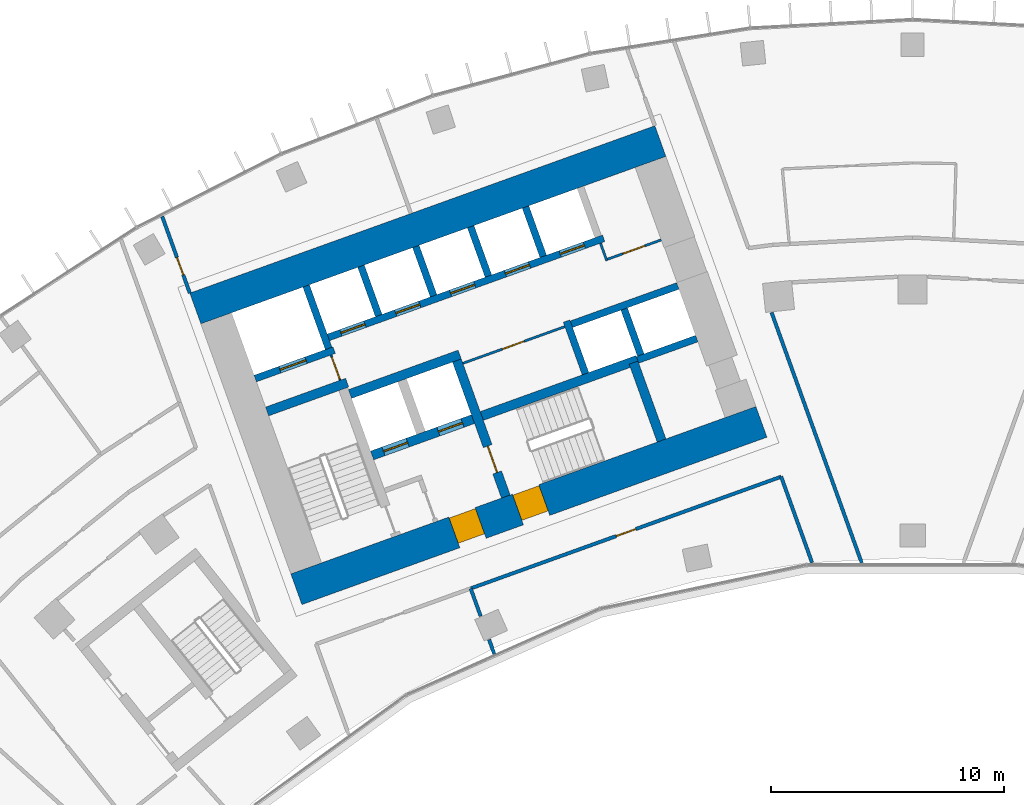
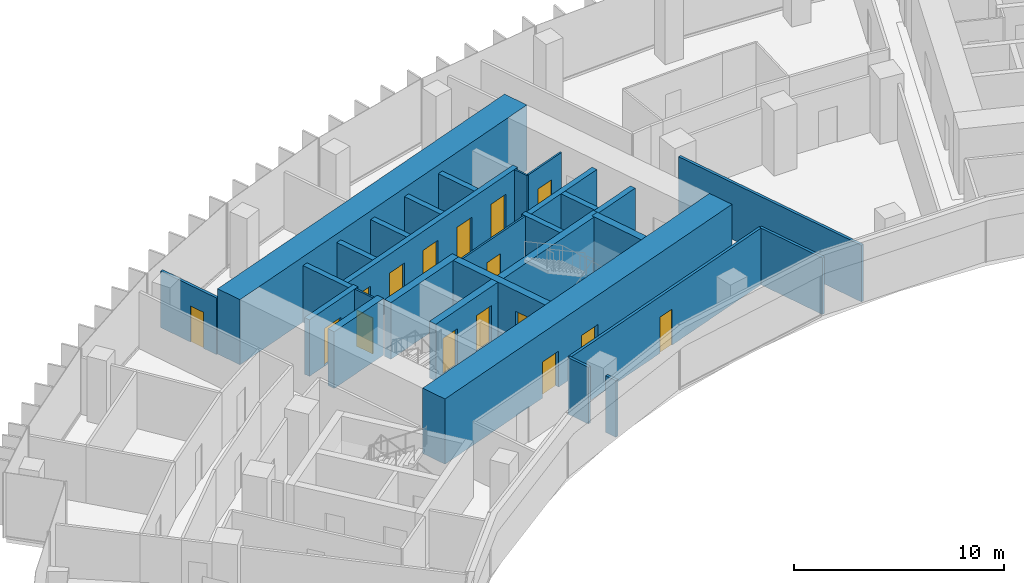
# One storey, part 15 of 21: 28 walls, 16 doors, 16 openings.
"""IFC4 building model written with IfcOpenShell, lengths in metres."""

from ifc_helpers import new_model, si_unit, direction, frame, frame_2d, origin, place, context, subcontext, project, spatial, rectangle, extrude, material, layer, layer_set, type_object, element, fill, save


model = new_model("IFC4")

# Units and contexts
model_context = context("Model", 3, precision=1e-05, world=origin(), true_north=direction((0.0, 1.0)))
body_context = subcontext(model_context, "Body", "Model", "MODEL_VIEW")
ifc_project = project(units=[si_unit("LENGTHUNIT", "METRE"), si_unit("AREAUNIT", "SQUARE_METRE"), si_unit("VOLUMEUNIT", "CUBIC_METRE"), si_unit("PLANEANGLEUNIT", "RADIAN"), si_unit("MASSUNIT", "GRAM", prefix="KILO")], contexts=[model_context])

# Site, building, storey
site_placement = place(None, origin())
site = spatial("IfcSite", under=ifc_project, at=site_placement, CompositionType="ELEMENT")
building_placement = place(site_placement, origin())
building = spatial("IfcBuilding", under=site, at=building_placement, Name="Stone Belt Terrace Tower", CompositionType="ELEMENT")
storey_placement = place(building_placement, frame((0.0, 0.0, 189.60009765625)))
storey = spatial("IfcBuildingStorey", under=building, at=storey_placement, Name="L46", CompositionType="ELEMENT", Elevation=189.60009765625)

# Wall, opening, door
ifc_material_1 = material(Name="Plasterboard partition")
ifc_layer_1 = layer(ifc_material_1, 0.10009765625)
ifc_layer_set_1 = layer_set([ifc_layer_1], Name="Core partition 100")
wall_type_1 = type_object("IfcWallType", Name="Core partition 100", PredefinedType="PARTITIONING", material=ifc_layer_set_1)
wall_1_placement = place(storey_placement, frame((-24.555908203125, 51.10400390625, 0.0), z_axis=(0.0, 0.0, 1.0), x_axis=(-0.338621735342, 0.94092258999, 0.0)))
wall_1 = element("IfcWall", 1, at=wall_1_placement, inside=storey, type_object=wall_type_1, Name="Core A wall", PredefinedType="PARTITIONING", context=body_context, shape_type="SweptSolid", body=[
    extrude(rectangle(XDim=1.14990234375, YDim=0.10009765625, at=frame_2d((0.574951171875, 0.0))), origin(), (0.0, 0.0, 1.0), 3.2998046875),
])
opening_1_placement = place(wall_1_placement, frame((0.050048828125, 0.0, 0.0)))
opening_1 = element("IfcOpeningElement", 2, at=opening_1_placement, cuts=wall_1, Name="Opening L46-C03", PredefinedType="OPENING", context=body_context, shape_type="SweptSolid", body=[
    extrude(rectangle(XDim=1.0, YDim=2.10009765625, at=frame_2d((0.5, 1.050048828125))), frame((0.0, 0.06005859375, 0.0), z_axis=(0.0, -1.0, 0.0), x_axis=(1.0, 0.0, 0.0)), (0.0, 0.0, 1.0), 0.1201171875),
])
ifc_material_2 = material(Name="Timber door leaf", Category="wood")
door_type_1 = type_object("IfcDoorType", Name="Core room door 1000", OperationType="SINGLE_SWING_LEFT", PredefinedType="DOOR", material=ifc_material_2)
door_1_placement = place(opening_1_placement, origin())
door_1 = element("IfcDoor", 3, at=door_1_placement, inside=storey, type_object=door_type_1, Name="Service lift lobby door core A", OperationType="SINGLE_SWING_LEFT", OverallHeight=2.10009765625, OverallWidth=1.0, PredefinedType="DOOR", context=body_context, shape_type="SweptSolid", body=[
    extrude(rectangle(XDim=1.0, YDim=2.10009765625, at=frame_2d((0.5, 1.050048828125))), frame((0.0, 0.02490234375, 0.0), z_axis=(0.0, -1.0, 0.0), x_axis=(1.0, 0.0, 0.0)), (0.0, 0.0, 1.0), 0.050048828125),
])
fill(opening_1, door_1)

wall_2_placement = place(storey_placement, frame((-19.29052734375, 51.829833984375, 0.0), z_axis=(0.0, 0.0, 1.0), x_axis=(0.940930240745, 0.338600475563, 0.0)))
wall_2 = element("IfcWall", 4, at=wall_2_placement, inside=storey, type_object=wall_type_1, Name="Core A wall", PredefinedType="PARTITIONING", context=body_context, shape_type="SweptSolid", body=[
    extrude(rectangle(XDim=4.64990234375, YDim=0.10009765625, at=frame_2d((2.324951171875, 0.0))), origin(), (0.0, 0.0, 1.0), 3.2998046875),
])
opening_2_placement = place(wall_2_placement, frame((1.800048828125, 0.0, 0.0)))
opening_2 = element("IfcOpeningElement", 5, at=opening_2_placement, cuts=wall_2, Name="Opening L46-C02", PredefinedType="OPENING", context=body_context, shape_type="SweptSolid", body=[
    extrude(rectangle(XDim=1.0, YDim=2.10009765625, at=frame_2d((0.5, 1.050048828125))), frame((0.0, 0.06005859375, 0.0), z_axis=(0.0, -1.0, 0.0), x_axis=(1.0, 0.0, 0.0)), (0.0, 0.0, 1.0), 0.1201171875),
])
door_2_placement = place(opening_2_placement, origin())
door_2 = element("IfcDoor", 6, at=door_2_placement, inside=storey, type_object=door_type_1, Name="Door to Staff pantry core A", OperationType="SINGLE_SWING_LEFT", OverallHeight=2.10009765625, OverallWidth=1.0, PredefinedType="DOOR", context=body_context, shape_type="SweptSolid", body=[
    extrude(rectangle(XDim=1.0, YDim=2.10009765625, at=frame_2d((0.5, 1.050048828125))), frame((0.0, 0.02490234375, 0.0), z_axis=(0.0, -1.0, 0.0), x_axis=(1.0, 0.0, 0.0)), (0.0, 0.0, 1.0), 0.050048828125),
])
fill(opening_2, door_2)

# Wall
wall_3_placement = place(storey_placement, frame((-13.115966796875, 56.230712890625, 0.0), z_axis=(0.0, 0.0, 1.0), x_axis=(-0.338481684961, 0.940972979923, 0.0)))
element("IfcWall", 7, at=wall_3_placement, inside=storey, type_object=wall_type_1, Name="Core A wall", PredefinedType="PARTITIONING", context=body_context, shape_type="SweptSolid", body=[
    extrude(rectangle(XDim=0.7998046875, YDim=0.10009765625, at=frame_2d((0.39990234375, 0.0))), origin(), (0.0, 0.0, 1.0), 3.2998046875),
])

# Wall, opening, door
wall_4_placement = place(storey_placement, frame((-13.085693359375, 56.294677734375, 0.0), z_axis=(0.0, 0.0, 1.0), x_axis=(0.940922976849, 0.338620660383, 0.0)))
wall_4 = element("IfcWall", 8, at=wall_4_placement, inside=storey, type_object=wall_type_1, Name="Core A wall", PredefinedType="PARTITIONING", context=body_context, shape_type="SweptSolid", body=[
    extrude(rectangle(XDim=2.449951171875, YDim=0.10009765625, at=frame_2d((1.22509765625, 0.0))), origin(), (0.0, 0.0, 1.0), 3.2998046875),
])
opening_3_placement = place(wall_4_placement, frame((0.699951171875, 0.0, 0.0)))
opening_3 = element("IfcOpeningElement", 9, at=opening_3_placement, cuts=wall_4, Name="Opening L46-C01", PredefinedType="OPENING", context=body_context, shape_type="SweptSolid", body=[
    extrude(rectangle(XDim=1.0, YDim=2.10009765625, at=frame_2d((0.5, 1.050048828125))), frame((0.0, 0.06005859375, 0.0), z_axis=(0.0, -1.0, 0.0), x_axis=(1.0, 0.0, 0.0)), (0.0, 0.0, 1.0), 0.1201171875),
])
door_3_placement = place(opening_3_placement, origin())
door_3 = element("IfcDoor", 10, at=door_3_placement, inside=storey, type_object=door_type_1, Name="Door to Meeting store core A", OperationType="SINGLE_SWING_LEFT", OverallHeight=2.10009765625, OverallWidth=1.0, PredefinedType="DOOR", context=body_context, shape_type="SweptSolid", body=[
    extrude(rectangle(XDim=1.0, YDim=2.10009765625, at=frame_2d((0.5, 1.050048828125))), frame((0.0, 0.02490234375, 0.0), z_axis=(0.0, -1.0, 0.0), x_axis=(1.0, 0.0, 0.0)), (0.0, 0.0, 1.0), 0.050048828125),
])
fill(opening_3, door_3)

# Wall, openings, doors
ifc_material_3 = material(Name="Concrete B80", Category="concrete")
ifc_layer_2 = layer(ifc_material_3, 1.39990234375)
ifc_layer_set_2 = layer_set([ifc_layer_2], Name="Core wall 1400 B80")
wall_type_2 = type_object("IfcWallType", Name="Core wall 1400 B80", PredefinedType="SHEAR", material=ifc_layer_set_2)
wall_5_placement = place(storey_placement, frame((-26.430908203125, 42.139404296875, 0.0), z_axis=(0.0, 0.0, 1.0), x_axis=(0.940923374003, 0.33861955681, 0.0)))
wall_5 = element("IfcWall", 11, at=wall_5_placement, inside=storey, type_object=wall_type_2, Name="Core A wall concave L46", PredefinedType="SHEAR", context=body_context, shape_type="SweptSolid", body=[
    extrude(rectangle(XDim=21.199951171875, YDim=1.39990234375, at=frame_2d((10.60009765625, 0.0))), origin(), (0.0, 0.0, 1.0), 3.7998046875),
])
opening_4_placement = place(wall_5_placement, frame((7.199951171875, 0.0, 0.0)))
opening_4 = element("IfcOpeningElement", 12, at=opening_4_placement, cuts=wall_5, Name="Opening L46-C07", PredefinedType="OPENING", context=body_context, shape_type="SweptSolid", body=[
    extrude(rectangle(XDim=1.199951171875, YDim=2.10009765625, at=frame_2d((0.60009765625, 1.050048828125))), frame((0.0, 0.7099609375, 0.0), z_axis=(0.0, -1.0, 0.0), x_axis=(1.0, 0.0, 0.0)), (0.0, 0.0, 1.0), 1.419921875),
])
opening_5_placement = place(wall_5_placement, frame((10.099853515625, 0.0, 0.0)))
opening_5 = element("IfcOpeningElement", 13, at=opening_5_placement, cuts=wall_5, Name="Opening L46-C09", PredefinedType="OPENING", context=body_context, shape_type="SweptSolid", body=[
    extrude(rectangle(XDim=1.199951171875, YDim=2.10009765625, at=frame_2d((0.60009765625, 1.050048828125))), frame((0.0, 0.7099609375, 0.0), z_axis=(0.0, -1.0, 0.0), x_axis=(1.0, 0.0, 0.0)), (0.0, 0.0, 1.0), 1.419921875),
])
ifc_material_4 = material(Name="Steel door leaf", Category="steel")
door_type_2 = type_object("IfcDoorType", Name="Fire-fighting lobby door 1200", OperationType="SINGLE_SWING_LEFT", PredefinedType="DOOR", material=ifc_material_4)
door_4_placement = place(opening_4_placement, origin())
door_4 = element("IfcDoor", 14, at=door_4_placement, inside=storey, type_object=door_type_2, Name="Fire-fighting lobby door core A", OperationType="SINGLE_SWING_LEFT", OverallHeight=2.10009765625, OverallWidth=1.199951171875, PredefinedType="DOOR", context=body_context, shape_type="SweptSolid", body=[
    extrude(rectangle(XDim=1.199951171875, YDim=2.10009765625, at=frame_2d((0.60009765625, 1.050048828125))), frame((0.0, 0.655029296875, 0.0), z_axis=(0.0, -1.0, 0.0), x_axis=(1.0, 0.0, 0.0)), (0.0, 0.0, 1.0), 1.14990234375),
])
fill(opening_4, door_4)
door_type_3 = type_object("IfcDoorType", Name="Stair door 1200", OperationType="SINGLE_SWING_LEFT", PredefinedType="DOOR", material=ifc_material_4)
door_5_placement = place(opening_5_placement, origin())
door_5 = element("IfcDoor", 15, at=door_5_placement, inside=storey, type_object=door_type_3, Name="Stair 2 exit door core A", OperationType="SINGLE_SWING_RIGHT", OverallHeight=2.10009765625, OverallWidth=1.199951171875, PredefinedType="DOOR", context=body_context, shape_type="SweptSolid", body=[
    extrude(rectangle(XDim=1.199951171875, YDim=2.10009765625, at=frame_2d((0.60009765625, 1.050048828125))), frame((0.0, 0.655029296875, 0.0), z_axis=(0.0, -1.0, 0.0), x_axis=(1.0, 0.0, 0.0)), (0.0, 0.0, 1.0), 1.14990234375),
])
fill(opening_5, door_5)

# Walls
wall_6_placement = place(storey_placement, frame((-30.765380859375, 54.18310546875, 0.0), z_axis=(0.0, 0.0, 1.0), x_axis=(0.940919704758, 0.338629752382, 0.0)))
element("IfcWall", 16, at=wall_6_placement, inside=storey, type_object=wall_type_2, Name="Core A wall convex L46", PredefinedType="SHEAR", context=body_context, shape_type="SweptSolid", body=[
    extrude(rectangle(XDim=21.199951171875, YDim=1.39990234375, at=frame_2d((10.60009765625, 0.0))), origin(), (0.0, 0.0, 1.0), 3.7998046875),
])
ifc_layer_3 = layer(ifc_material_3, 0.39990234375)
ifc_layer_set_3 = layer_set([ifc_layer_3], Name="Fire-fighting lift shaft wall 400")
wall_type_3 = type_object("IfcWallType", Name="Fire-fighting lift shaft wall 400", PredefinedType="SHEAR", material=ifc_layer_set_3)
wall_7_placement = place(storey_placement, frame((-24.130615234375, 50.512939453125, 0.0), z_axis=(0.0, 0.0, 1.0), x_axis=(0.94091168377, 0.338652038744, 0.0)))
element("IfcWall", 17, at=wall_7_placement, inside=storey, type_object=wall_type_3, Name="Core A wall", PredefinedType="SHEAR", context=body_context, shape_type="SweptSolid", body=[
    extrude(rectangle(XDim=5.000244140625, YDim=0.39990234375, at=frame_2d((2.5, 0.0))), origin(), (0.0, 0.0, 1.0), 3.2998046875),
])

# Wall, opening, door
ifc_layer_4 = layer(ifc_material_3, 0.300048828125)
ifc_layer_set_4 = layer_set([ifc_layer_4], Name="Lift shaft wall 300")
wall_type_4 = type_object("IfcWallType", Name="Lift shaft wall 300", PredefinedType="SHEAR", material=ifc_layer_set_4)
wall_8_placement = place(storey_placement, frame((-28.195068359375, 51.17578125, 0.0), z_axis=(0.0, 0.0, 1.0), x_axis=(0.940901243567, 0.338681044427, 0.0)))
wall_8 = element("IfcWall", 18, at=wall_8_placement, inside=storey, type_object=wall_type_4, Name="Core A wall", PredefinedType="SHEAR", context=body_context, shape_type="SweptSolid", body=[
    extrude(rectangle(XDim=3.599853515625, YDim=0.300048828125, at=frame_2d((1.7998046875, 0.0))), origin(), (0.0, 0.0, 1.0), 3.2998046875),
])
opening_6_placement = place(wall_8_placement, frame((1.1201171875, 0.0, 0.0)))
opening_6 = element("IfcOpeningElement", 19, at=opening_6_placement, cuts=wall_8, Name="Opening L46-LD08", PredefinedType="OPENING", context=body_context, shape_type="SweptSolid", body=[
    extrude(rectangle(XDim=1.199951171875, YDim=2.199951171875, at=frame_2d((0.60009765625, 1.10009765625))), frame((0.0, 0.159912109375, 0.0), z_axis=(0.0, -1.0, 0.0), x_axis=(1.0, 0.0, 0.0)), (0.0, 0.0, 1.0), 0.320068359375),
])
ifc_material_5 = material(Name="Stainless steel door leaf", Category="steel")
door_type_4 = type_object("IfcDoorType", Name="Landing door 1200", OperationType="SLIDING_TO_LEFT", PredefinedType="DOOR", material=ifc_material_5)
door_6_placement = place(opening_6_placement, origin())
door_6 = element("IfcDoor", 20, at=door_6_placement, inside=storey, type_object=door_type_4, Name="Landing door SV1 core A", OperationType="SLIDING_TO_LEFT", OverallHeight=2.199951171875, OverallWidth=1.199951171875, PredefinedType="DOOR", context=body_context, shape_type="SweptSolid", body=[
    extrude(rectangle(XDim=1.199951171875, YDim=2.199951171875, at=frame_2d((0.60009765625, 1.10009765625))), frame((0.0, 0.02490234375, 0.0), z_axis=(0.0, -1.0, 0.0), x_axis=(1.0, 0.0, 0.0)), (0.0, 0.0, 1.0), 0.050048828125),
])
fill(opening_6, door_6)

# Wall
wall_9_placement = place(storey_placement, frame((-25.046875, 52.46826171875, 0.0), z_axis=(0.0, 0.0, 1.0), x_axis=(-0.338549588058, 0.940948551423, 0.0)))
element("IfcWall", 21, at=wall_9_placement, inside=storey, type_object=wall_type_4, Name="Core A wall", PredefinedType="SHEAR", context=body_context, shape_type="SweptSolid", body=[
    extrude(rectangle(XDim=2.849853515625, YDim=0.300048828125, at=frame_2d((1.4248046875, 0.0))), origin(), (0.0, 0.0, 1.0), 3.2998046875),
])

# Wall, openings, doors
wall_10_placement = place(storey_placement, frame((-25.05810546875, 52.9423828125, 0.0), z_axis=(0.0, 0.0, 1.0), x_axis=(0.940921381676, 0.338625092847, 0.0)))
wall_10 = element("IfcWall", 22, at=wall_10_placement, inside=storey, type_object=wall_type_4, Name="Core A wall", PredefinedType="SHEAR", context=body_context, shape_type="SweptSolid", body=[
    extrude(rectangle(XDim=12.550048828125, YDim=0.300048828125, at=frame_2d((6.27490234375, 0.0))), origin(), (0.0, 0.0, 1.0), 3.2998046875),
])
opening_7_placement = place(wall_10_placement, frame((0.570068359375, 0.0, 0.0)))
opening_7 = element("IfcOpeningElement", 23, at=opening_7_placement, cuts=wall_10, Name="Opening L46-LD01", PredefinedType="OPENING", context=body_context, shape_type="SweptSolid", body=[
    extrude(rectangle(XDim=1.10009765625, YDim=2.199951171875, at=frame_2d((0.550048828125, 1.10009765625))), frame((0.0, 0.159912109375, 0.0), z_axis=(0.0, -1.0, 0.0), x_axis=(1.0, 0.0, 0.0)), (0.0, 0.0, 1.0), 0.320068359375),
])
opening_8_placement = place(wall_10_placement, frame((3.070068359375, 0.0, 0.0)))
opening_8 = element("IfcOpeningElement", 24, at=opening_8_placement, cuts=wall_10, Name="Opening L46-LD02", PredefinedType="OPENING", context=body_context, shape_type="SweptSolid", body=[
    extrude(rectangle(XDim=1.10009765625, YDim=2.199951171875, at=frame_2d((0.550048828125, 1.10009765625))), frame((0.0, 0.159912109375, 0.0), z_axis=(0.0, -1.0, 0.0), x_axis=(1.0, 0.0, 0.0)), (0.0, 0.0, 1.0), 0.320068359375),
])
opening_9_placement = place(wall_10_placement, frame((5.570068359375, 0.0, 0.0)))
opening_9 = element("IfcOpeningElement", 25, at=opening_9_placement, cuts=wall_10, Name="Opening L46-LD03", PredefinedType="OPENING", context=body_context, shape_type="SweptSolid", body=[
    extrude(rectangle(XDim=1.10009765625, YDim=2.199951171875, at=frame_2d((0.550048828125, 1.10009765625))), frame((0.0, 0.159912109375, 0.0), z_axis=(0.0, -1.0, 0.0), x_axis=(1.0, 0.0, 0.0)), (0.0, 0.0, 1.0), 0.320068359375),
])
opening_10_placement = place(wall_10_placement, frame((8.070068359375, 0.0, 0.0)))
opening_10 = element("IfcOpeningElement", 26, at=opening_10_placement, cuts=wall_10, Name="Opening L46-LD04", PredefinedType="OPENING", context=body_context, shape_type="SweptSolid", body=[
    extrude(rectangle(XDim=1.10009765625, YDim=2.199951171875, at=frame_2d((0.550048828125, 1.10009765625))), frame((0.0, 0.159912109375, 0.0), z_axis=(0.0, -1.0, 0.0), x_axis=(1.0, 0.0, 0.0)), (0.0, 0.0, 1.0), 0.320068359375),
])
opening_11_placement = place(wall_10_placement, frame((10.570068359375, 0.0, 0.0)))
opening_11 = element("IfcOpeningElement", 27, at=opening_11_placement, cuts=wall_10, Name="Opening L46-LD05", PredefinedType="OPENING", context=body_context, shape_type="SweptSolid", body=[
    extrude(rectangle(XDim=1.10009765625, YDim=2.199951171875, at=frame_2d((0.550048828125, 1.10009765625))), frame((0.0, 0.159912109375, 0.0), z_axis=(0.0, -1.0, 0.0), x_axis=(1.0, 0.0, 0.0)), (0.0, 0.0, 1.0), 0.320068359375),
])
door_type_5 = type_object("IfcDoorType", Name="Landing door 1100", OperationType="SLIDING_TO_LEFT", PredefinedType="DOOR", material=ifc_material_5)
door_7_placement = place(opening_7_placement, origin())
door_7 = element("IfcDoor", 28, at=door_7_placement, inside=storey, type_object=door_type_5, Name="Landing door MR1 core A", OperationType="SLIDING_TO_LEFT", OverallHeight=2.199951171875, OverallWidth=1.10009765625, PredefinedType="DOOR", context=body_context, shape_type="SweptSolid", body=[
    extrude(rectangle(XDim=1.10009765625, YDim=2.199951171875, at=frame_2d((0.550048828125, 1.10009765625))), frame((0.0, 0.02490234375, 0.0), z_axis=(0.0, -1.0, 0.0), x_axis=(1.0, 0.0, 0.0)), (0.0, 0.0, 1.0), 0.050048828125),
])
fill(opening_7, door_7)
door_8_placement = place(opening_8_placement, origin())
door_8 = element("IfcDoor", 29, at=door_8_placement, inside=storey, type_object=door_type_5, Name="Landing door MR2 core A", OperationType="SLIDING_TO_LEFT", OverallHeight=2.199951171875, OverallWidth=1.10009765625, PredefinedType="DOOR", context=body_context, shape_type="SweptSolid", body=[
    extrude(rectangle(XDim=1.10009765625, YDim=2.199951171875, at=frame_2d((0.550048828125, 1.10009765625))), frame((0.0, 0.02490234375, 0.0), z_axis=(0.0, -1.0, 0.0), x_axis=(1.0, 0.0, 0.0)), (0.0, 0.0, 1.0), 0.050048828125),
])
fill(opening_8, door_8)
door_9_placement = place(opening_9_placement, origin())
door_9 = element("IfcDoor", 30, at=door_9_placement, inside=storey, type_object=door_type_5, Name="Landing door MR3 core A", OperationType="SLIDING_TO_LEFT", OverallHeight=2.199951171875, OverallWidth=1.10009765625, PredefinedType="DOOR", context=body_context, shape_type="SweptSolid", body=[
    extrude(rectangle(XDim=1.10009765625, YDim=2.199951171875, at=frame_2d((0.550048828125, 1.10009765625))), frame((0.0, 0.02490234375, 0.0), z_axis=(0.0, -1.0, 0.0), x_axis=(1.0, 0.0, 0.0)), (0.0, 0.0, 1.0), 0.050048828125),
])
fill(opening_9, door_9)
door_10_placement = place(opening_10_placement, origin())
door_10 = element("IfcDoor", 31, at=door_10_placement, inside=storey, type_object=door_type_5, Name="Landing door MR4 core A", OperationType="SLIDING_TO_LEFT", OverallHeight=2.199951171875, OverallWidth=1.10009765625, PredefinedType="DOOR", context=body_context, shape_type="SweptSolid", body=[
    extrude(rectangle(XDim=1.10009765625, YDim=2.199951171875, at=frame_2d((0.550048828125, 1.10009765625))), frame((0.0, 0.02490234375, 0.0), z_axis=(0.0, -1.0, 0.0), x_axis=(1.0, 0.0, 0.0)), (0.0, 0.0, 1.0), 0.050048828125),
])
fill(opening_10, door_10)
door_11_placement = place(opening_11_placement, origin())
door_11 = element("IfcDoor", 32, at=door_11_placement, inside=storey, type_object=door_type_5, Name="Landing door MR5 core A", OperationType="SLIDING_TO_LEFT", OverallHeight=2.199951171875, OverallWidth=1.10009765625, PredefinedType="DOOR", context=body_context, shape_type="SweptSolid", body=[
    extrude(rectangle(XDim=1.10009765625, YDim=2.199951171875, at=frame_2d((0.550048828125, 1.10009765625))), frame((0.0, 0.02490234375, 0.0), z_axis=(0.0, -1.0, 0.0), x_axis=(1.0, 0.0, 0.0)), (0.0, 0.0, 1.0), 0.050048828125),
])
fill(opening_11, door_11)

# Walls
wall_11_placement = place(storey_placement, frame((-22.897705078125, 53.87939453125, 0.0), z_axis=(0.0, 0.0, 1.0), x_axis=(-0.338535034312, 0.940953787677, 0.0)))
element("IfcWall", 33, at=wall_11_placement, inside=storey, type_object=wall_type_4, Name="Core A wall", PredefinedType="SHEAR", context=body_context, shape_type="SweptSolid", body=[
    extrude(rectangle(XDim=2.25, YDim=0.300048828125, at=frame_2d((1.125, 0.0))), origin(), (0.0, 0.0, 1.0), 3.2998046875),
])
wall_12_placement = place(storey_placement, frame((-20.54541015625, 54.72607421875, 0.0), z_axis=(0.0, 0.0, 1.0), x_axis=(-0.338569601369, 0.940941350472, 0.0)))
element("IfcWall", 34, at=wall_12_placement, inside=storey, type_object=wall_type_4, Name="Core A wall", PredefinedType="SHEAR", context=body_context, shape_type="SweptSolid", body=[
    extrude(rectangle(XDim=2.249755859375, YDim=0.300048828125, at=frame_2d((1.125, 0.0))), origin(), (0.0, 0.0, 1.0), 3.2998046875),
])
wall_13_placement = place(storey_placement, frame((-18.193115234375, 55.572509765625, 0.0), z_axis=(0.0, 0.0, 1.0), x_axis=(-0.338535034312, 0.940953787677, 0.0)))
element("IfcWall", 35, at=wall_13_placement, inside=storey, type_object=wall_type_4, Name="Core A wall", PredefinedType="SHEAR", context=body_context, shape_type="SweptSolid", body=[
    extrude(rectangle(XDim=2.25, YDim=0.300048828125, at=frame_2d((1.125, 0.0))), origin(), (0.0, 0.0, 1.0), 3.2998046875),
])
wall_14_placement = place(storey_placement, frame((-14.029052734375, 51.38525390625, 0.0), z_axis=(0.0, 0.0, 1.0), x_axis=(-0.338661829791, 0.940908159728, 0.0)))
element("IfcWall", 36, at=wall_14_placement, inside=storey, type_object=wall_type_4, Name="Core A wall", PredefinedType="SHEAR", context=body_context, shape_type="SweptSolid", body=[
    extrude(rectangle(XDim=2.39990234375, YDim=0.300048828125, at=frame_2d((1.199951171875, 0.0))), origin(), (0.0, 0.0, 1.0), 3.2998046875),
])
wall_15_placement = place(storey_placement, frame((-14.6328125, 53.506103515625, 0.0), z_axis=(0.0, 0.0, 1.0), x_axis=(0.940931684323, 0.338596464007, 0.0)))
element("IfcWall", 37, at=wall_15_placement, inside=storey, type_object=wall_type_4, Name="Core A wall", PredefinedType="SHEAR", context=body_context, shape_type="SweptSolid", body=[
    extrude(rectangle(XDim=4.849609375, YDim=0.300048828125, at=frame_2d((2.4248046875, 0.0))), origin(), (0.0, 0.0, 1.0), 3.2998046875),
])
wall_16_placement = place(storey_placement, frame((-15.8408203125, 56.419189453125, 0.0), z_axis=(0.0, 0.0, 1.0), x_axis=(-0.338569601369, 0.940941350472, 0.0)))
element("IfcWall", 38, at=wall_16_placement, inside=storey, type_object=wall_type_4, Name="Core A wall", PredefinedType="SHEAR", context=body_context, shape_type="SweptSolid", body=[
    extrude(rectangle(XDim=2.249755859375, YDim=0.300048828125, at=frame_2d((1.125, 0.0))), origin(), (0.0, 0.0, 1.0), 3.2998046875),
])
wall_17_placement = place(storey_placement, frame((-11.797119140625, 51.975830078125, 0.0), z_axis=(0.0, 0.0, 1.0), x_axis=(0.940910465161, 0.33865542451, 0.0)))
element("IfcWall", 39, at=wall_17_placement, inside=storey, type_object=wall_type_4, Name="Core A wall", PredefinedType="SHEAR", context=body_context, shape_type="SweptSolid", body=[
    extrude(rectangle(XDim=2.69970703125, YDim=0.300048828125, at=frame_2d((1.349853515625, 0.0))), origin(), (0.0, 0.0, 1.0), 3.2998046875),
])
wall_18_placement = place(storey_placement, frame((-11.659912109375, 52.184814453125, 0.0), z_axis=(0.0, 0.0, 1.0), x_axis=(-0.338670064856, 0.940905195634, 0.0)))
element("IfcWall", 40, at=wall_18_placement, inside=storey, type_object=wall_type_4, Name="Core A wall", PredefinedType="SHEAR", context=body_context, shape_type="SweptSolid", body=[
    extrude(rectangle(XDim=2.099853515625, YDim=0.300048828125, at=frame_2d((1.0498046875, 0.0))), origin(), (0.0, 0.0, 1.0), 3.2998046875),
])

# Wall, opening, door
ifc_material_6 = material(Name="Gypsum board partition")
ifc_layer_5 = layer(ifc_material_6, 0.14990234375)
ifc_layer_set_5 = layer_set([ifc_layer_5], Name="PARTITION 150 EI 60")
wall_type_5 = type_object("IfcWallType", Name="PARTITION 150 EI 60", PredefinedType="PARTITIONING", material=ifc_layer_set_5)
wall_19_placement = place(storey_placement, frame((-32.185791015625, 58.131103515625, 0.0), z_axis=(0.0, 0.0, 1.0), x_axis=(0.338662585219, -0.940907887826, 0.0)))
wall_19 = element("IfcWall", 41, at=wall_19_placement, inside=storey, type_object=wall_type_5, Name="L46/wall/i002", PredefinedType="PARTITIONING", context=body_context, shape_type="SweptSolid", body=[
    extrude(rectangle(XDim=3.49560546875, YDim=0.14990234375, at=frame_2d((1.747802734375, 0.0))), origin(), (0.0, 0.0, 1.0), 3.2998046875),
])
opening_12_placement = place(wall_19_placement, frame((1.871826171875, 0.0, 0.0)))
opening_12 = element("IfcOpeningElement", 42, at=opening_12_placement, cuts=wall_19, Name="Opening D-C5-03", PredefinedType="OPENING", context=body_context, shape_type="SweptSolid", body=[
    extrude(rectangle(XDim=0.800048828125, YDim=2.10009765625, at=frame_2d((0.39990234375, 1.050048828125))), frame((0.0, 0.0849609375, 0.0), z_axis=(0.0, -1.0, 0.0), x_axis=(1.0, 0.0, 0.0)), (0.0, 0.0, 1.0), 0.169921875),
])
door_type_6 = type_object("IfcDoorType", Name="STORE DOOR 800 X 2100", OperationType="NOTDEFINED", PredefinedType="DOOR", material=ifc_material_2)
door_12_placement = place(opening_12_placement, origin())
door_12 = element("IfcDoor", 43, at=door_12_placement, inside=storey, type_object=door_type_6, Name="L46/door/i03", OperationType="SINGLE_SWING_RIGHT", OverallHeight=2.10009765625, OverallWidth=0.800048828125, PredefinedType="DOOR", context=body_context, shape_type="SweptSolid", body=[
    extrude(rectangle(XDim=0.800048828125, YDim=2.10009765625, at=frame_2d((0.39990234375, 1.050048828125))), frame((0.0, 0.02490234375, 0.0), z_axis=(0.0, -1.0, 0.0), x_axis=(1.0, 0.0, 0.0)), (0.0, 0.0, 1.0), 0.050048828125),
])
fill(opening_12, door_12)

# Walls
wall_20_placement = place(storey_placement, frame((-4.31005859375, 43.27783203125, 0.0), z_axis=(0.0, 0.0, 1.0), x_axis=(-0.338490436495, 0.940969831823, 0.0)))
element("IfcWall", 44, at=wall_20_placement, inside=storey, type_object=wall_type_5, Name="L46/wall/i007", PredefinedType="PARTITIONING", context=body_context, shape_type="SweptSolid", body=[
    extrude(rectangle(XDim=3.92578125, YDim=0.14990234375, at=frame_2d((1.962890625, 0.0))), origin(), (0.0, 0.0, 1.0), 3.2998046875),
])
wall_21_placement = place(storey_placement, frame((-6.046875, 54.0087890625, 0.0), z_axis=(0.0, 0.0, 1.0), x_axis=(0.338658916341, -0.940909208363, 0.0)))
element("IfcWall", 45, at=wall_21_placement, inside=storey, type_object=wall_type_5, Name="L46/wall/i009", PredefinedType="PARTITIONING", context=body_context, shape_type="SweptSolid", body=[
    extrude(rectangle(XDim=11.422119140625, YDim=0.14990234375, at=frame_2d((5.7109375, 0.0))), origin(), (0.0, 0.0, 1.0), 3.2998046875),
])

# Wall, opening, door
wall_22_placement = place(storey_placement, frame((-5.636962890625, 46.966064453125, 0.0), z_axis=(0.0, 0.0, 1.0), x_axis=(-0.940912466346, -0.338649864424, 0.0)))
wall_22 = element("IfcWall", 46, at=wall_22_placement, inside=storey, type_object=wall_type_5, Name="L46/wall/i012", PredefinedType="PARTITIONING", context=body_context, shape_type="SweptSolid", body=[
    extrude(rectangle(XDim=14.15966796875, YDim=0.14990234375, at=frame_2d((7.079833984375, 0.0))), origin(), (0.0, 0.0, 1.0), 3.2998046875),
])
opening_13_placement = place(wall_22_placement, frame((6.6298828125, 0.0, 0.0)))
opening_13 = element("IfcOpeningElement", 47, at=opening_13_placement, cuts=wall_22, Name="Opening D-C5-02", PredefinedType="OPENING", context=body_context, shape_type="SweptSolid", body=[
    extrude(rectangle(XDim=0.89990234375, YDim=2.10009765625, at=frame_2d((0.449951171875, 1.050048828125))), frame((0.0, 0.0849609375, 0.0), z_axis=(0.0, -1.0, 0.0), x_axis=(1.0, 0.0, 0.0)), (0.0, 0.0, 1.0), 0.169921875),
])
door_type_7 = type_object("IfcDoorType", Name="OFFICE DOOR 900 X 2100", OperationType="NOTDEFINED", PredefinedType="DOOR", material=ifc_material_2)
door_13_placement = place(opening_13_placement, origin())
door_13 = element("IfcDoor", 48, at=door_13_placement, inside=storey, type_object=door_type_7, Name="L46/door/i02", OperationType="SINGLE_SWING_RIGHT", OverallHeight=2.10009765625, OverallWidth=0.89990234375, PredefinedType="DOOR", context=body_context, shape_type="SweptSolid", body=[
    extrude(rectangle(XDim=0.89990234375, YDim=2.10009765625, at=frame_2d((0.449951171875, 1.050048828125))), frame((0.0, 0.02490234375, 0.0), z_axis=(0.0, -1.0, 0.0), x_axis=(1.0, 0.0, 0.0)), (0.0, 0.0, 1.0), 0.050048828125),
])
fill(opening_13, door_13)

# Walls
wall_23_placement = place(storey_placement, frame((-18.9541015625, 42.173095703125, 0.0), z_axis=(0.0, 0.0, 1.0), x_axis=(0.338548592325, -0.940948909684, 0.0)))
element("IfcWall", 49, at=wall_23_placement, inside=storey, type_object=wall_type_5, Name="L46/wall/i013", PredefinedType="PARTITIONING", context=body_context, shape_type="SweptSolid", body=[
    extrude(rectangle(XDim=1.264892578125, YDim=0.14990234375, at=frame_2d((0.63232421875, 0.0))), origin(), (0.0, 0.0, 1.0), 3.2998046875),
])
wall_24_placement = place(storey_placement, frame((-18.166015625, 39.98291015625, 0.0), z_axis=(0.0, 0.0, 1.0), x_axis=(0.338719468273, -0.940887411869, 0.0)))
element("IfcWall", 50, at=wall_24_placement, inside=storey, type_object=wall_type_5, Name="L46/wall/i014", PredefinedType="PARTITIONING", context=body_context, shape_type="SweptSolid", body=[
    extrude(rectangle(XDim=0.6552734375, YDim=0.14990234375, at=frame_2d((0.32763671875, 0.0))), origin(), (0.0, 0.0, 1.0), 3.2998046875),
])
ifc_layer_6 = layer(ifc_material_3, 0.39990234375)
ifc_layer_set_6 = layer_set([ifc_layer_6], Name="Stair enclosure wall 400")
wall_type_6 = type_object("IfcWallType", Name="Stair enclosure wall 400", PredefinedType="SHEAR", material=ifc_layer_set_6)
wall_25_placement = place(storey_placement, frame((-27.687255859375, 49.764404296875, 0.0), z_axis=(0.0, 0.0, 1.0), x_axis=(0.940918954884, 0.338631835981, 0.0)))
element("IfcWall", 51, at=wall_25_placement, inside=storey, type_object=wall_type_6, Name="Core A wall", PredefinedType="SHEAR", context=body_context, shape_type="SweptSolid", body=[
    extrude(rectangle(XDim=3.650146484375, YDim=0.39990234375, at=frame_2d((1.8251953125, 0.0))), origin(), (0.0, 0.0, 1.0), 3.2998046875),
])

# Wall, openings, doors
wall_26_placement = place(storey_placement, frame((-23.182373046875, 47.87841796875, 0.0), z_axis=(0.0, 0.0, 1.0), x_axis=(0.940921101762, 0.338625870628, 0.0)))
wall_26 = element("IfcWall", 52, at=wall_26_placement, inside=storey, type_object=wall_type_6, Name="Core A wall", PredefinedType="SHEAR", context=body_context, shape_type="SweptSolid", body=[
    extrude(rectangle(XDim=12.10009765625, YDim=0.39990234375, at=frame_2d((6.050048828125, 0.0))), origin(), (0.0, 0.0, 1.0), 3.2998046875),
])
opening_14_placement = place(wall_26_placement, frame((0.52001953125, 0.0, 0.0)))
opening_14 = element("IfcOpeningElement", 53, at=opening_14_placement, cuts=wall_26, Name="Opening L46-LD06", PredefinedType="OPENING", context=body_context, shape_type="SweptSolid", body=[
    extrude(rectangle(XDim=1.10009765625, YDim=2.199951171875, at=frame_2d((0.550048828125, 1.10009765625))), frame((0.0, 0.2099609375, 0.0), z_axis=(0.0, -1.0, 0.0), x_axis=(1.0, 0.0, 0.0)), (0.0, 0.0, 1.0), 0.419921875),
])
opening_15_placement = place(wall_26_placement, frame((3.02001953125, 0.0, 0.0)))
opening_15 = element("IfcOpeningElement", 54, at=opening_15_placement, cuts=wall_26, Name="Opening L46-LD07", PredefinedType="OPENING", context=body_context, shape_type="SweptSolid", body=[
    extrude(rectangle(XDim=1.10009765625, YDim=2.199951171875, at=frame_2d((0.550048828125, 1.10009765625))), frame((0.0, 0.2099609375, 0.0), z_axis=(0.0, -1.0, 0.0), x_axis=(1.0, 0.0, 0.0)), (0.0, 0.0, 1.0), 0.419921875),
])
door_14_placement = place(opening_14_placement, origin())
door_14 = element("IfcDoor", 55, at=door_14_placement, inside=storey, type_object=door_type_5, Name="Landing door FF1 core A", OperationType="SLIDING_TO_LEFT", OverallHeight=2.199951171875, OverallWidth=1.10009765625, PredefinedType="DOOR", context=body_context, shape_type="SweptSolid", body=[
    extrude(rectangle(XDim=1.10009765625, YDim=2.199951171875, at=frame_2d((0.550048828125, 1.10009765625))), frame((0.0, 0.02490234375, 0.0), z_axis=(0.0, -1.0, 0.0), x_axis=(1.0, 0.0, 0.0)), (0.0, 0.0, 1.0), 0.050048828125),
])
fill(opening_14, door_14)
door_15_placement = place(opening_15_placement, origin())
door_15 = element("IfcDoor", 56, at=door_15_placement, inside=storey, type_object=door_type_5, Name="Landing door FF2 core A", OperationType="SLIDING_TO_LEFT", OverallHeight=2.199951171875, OverallWidth=1.10009765625, PredefinedType="DOOR", context=body_context, shape_type="SweptSolid", body=[
    extrude(rectangle(XDim=1.10009765625, YDim=2.199951171875, at=frame_2d((0.550048828125, 1.10009765625))), frame((0.0, 0.02490234375, 0.0), z_axis=(0.0, -1.0, 0.0), x_axis=(1.0, 0.0, 0.0)), (0.0, 0.0, 1.0), 0.050048828125),
])
fill(opening_15, door_15)

# Wall, opening, door
wall_27_placement = place(storey_placement, frame((-17.447021484375, 46.116455078125, 0.0), z_axis=(0.0, 0.0, 1.0), x_axis=(-0.33860791464, 0.940927563707, 0.0)))
wall_27 = element("IfcWall", 57, at=wall_27_placement, inside=storey, type_object=wall_type_6, Name="Core A wall", PredefinedType="SHEAR", context=body_context, shape_type="SweptSolid", body=[
    extrude(rectangle(XDim=6.199951171875, YDim=0.39990234375, at=frame_2d((3.10009765625, 0.0))), origin(), (0.0, 0.0, 1.0), 3.2998046875),
])
opening_16_placement = place(wall_27_placement, frame((1.10009765625, 0.0, 0.0)))
opening_16 = element("IfcOpeningElement", 58, at=opening_16_placement, cuts=wall_27, Name="Opening L46-C08", PredefinedType="OPENING", context=body_context, shape_type="SweptSolid", body=[
    extrude(rectangle(XDim=1.199951171875, YDim=2.10009765625, at=frame_2d((0.60009765625, 1.050048828125))), frame((0.0, 0.2099609375, 0.0), z_axis=(0.0, -1.0, 0.0), x_axis=(1.0, 0.0, 0.0)), (0.0, 0.0, 1.0), 0.419921875),
])
door_16_placement = place(opening_16_placement, origin())
door_16 = element("IfcDoor", 59, at=door_16_placement, inside=storey, type_object=door_type_3, Name="Stair 2 door core A", OperationType="SINGLE_SWING_LEFT", OverallHeight=2.10009765625, OverallWidth=1.199951171875, PredefinedType="DOOR", context=body_context, shape_type="SweptSolid", body=[
    extrude(rectangle(XDim=1.199951171875, YDim=2.10009765625, at=frame_2d((0.60009765625, 1.050048828125))), frame((0.0, 0.02490234375, 0.0), z_axis=(0.0, -1.0, 0.0), x_axis=(1.0, 0.0, 0.0)), (0.0, 0.0, 1.0), 0.050048828125),
])
fill(opening_16, door_16)

# Wall
wall_28_placement = place(storey_placement, frame((-10.766357421875, 48.520751953125, 0.0), z_axis=(0.0, 0.0, 1.0), x_axis=(-0.338626928157, 0.94092072117, 0.0)))
element("IfcWall", 60, at=wall_28_placement, inside=storey, type_object=wall_type_6, Name="Core A wall", PredefinedType="SHEAR", context=body_context, shape_type="SweptSolid", body=[
    extrude(rectangle(XDim=3.550048828125, YDim=0.39990234375, at=frame_2d((1.77490234375, 0.0))), origin(), (0.0, 0.0, 1.0), 3.2998046875),
])

save(model, "model.ifc")
